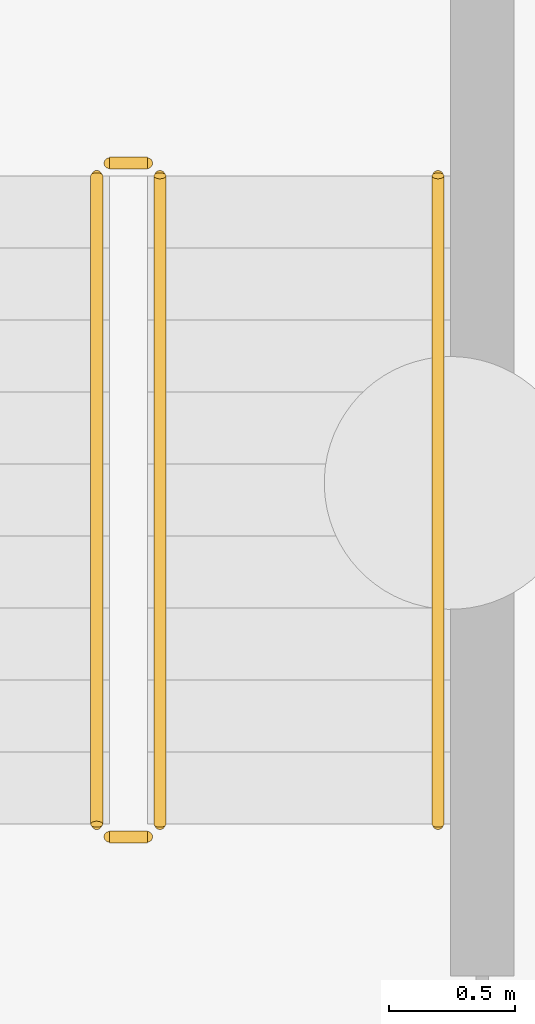
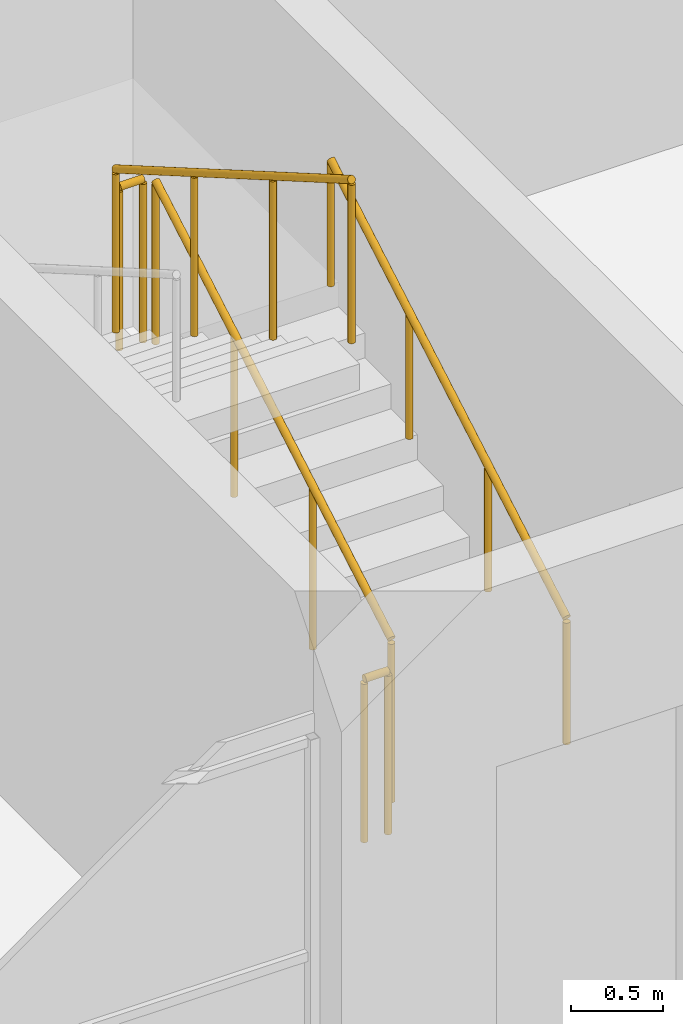
# One storey, part 116 of 130: 5 railings.
"""IFC4 building model written with IfcOpenShell, lengths in metres."""

from ifc_helpers import new_model, si_unit, direction, frame, origin, origin_2d, place, context, subcontext, project, spatial, circle, extrude, material, type_object, element, save


model = new_model("IFC4")

# Units and contexts
model_context = context("Model", 3, precision=1e-05, world=origin(), true_north=direction((0.0, 1.0)))
body_context = subcontext(model_context, "Body", "Model", "MODEL_VIEW")
ifc_project = project(units=[si_unit("LENGTHUNIT", "METRE"), si_unit("AREAUNIT", "SQUARE_METRE"), si_unit("VOLUMEUNIT", "CUBIC_METRE"), si_unit("PLANEANGLEUNIT", "RADIAN"), si_unit("MASSUNIT", "GRAM", prefix="KILO")], contexts=[model_context])

# Site, building, storey
site_placement = place(None, origin())
site = spatial("IfcSite", under=ifc_project, at=site_placement, CompositionType="ELEMENT")
building_placement = place(site_placement, origin())
building = spatial("IfcBuilding", under=site, at=building_placement, Name="Parallax Yard Mobility Hub", CompositionType="ELEMENT")
storey_placement = place(building_placement, origin())
storey = spatial("IfcBuildingStorey", under=building, at=storey_placement, Name="L00", CompositionType="ELEMENT", Elevation=0.0)

# Railings
ifc_material = material(Name="Steel ASTM A36", Category="steel")
railing_type_1 = type_object("IfcRailingType", Name="Stair guard 1100", PredefinedType="GUARDRAIL", material=ifc_material)
railing_1_placement = place(storey_placement, frame((129.199951171875, 114.89990234375, 0.1650390625)))
element("IfcRailing", 1, at=railing_1_placement, inside=storey, type_object=railing_type_1, Name="L00 ST6 stair guard 1", PredefinedType="GUARDRAIL", context=body_context, shape_type="SweptSolid", body=[
    extrude(circle(Radius=0.02392578125, at=origin_2d()), frame((0.0, 0.0, 1.076171875), z_axis=(0.0, 0.865461999751, 0.500974577186), x_axis=(-1.0, 0.0, 0.0)), (0.0, 0.0, 1.0), 2.9638671875),
    extrude(circle(Radius=0.02099609375, at=origin_2d()), origin(), (0.0, 0.0, 1.0), 1.052001953125),
    extrude(circle(Radius=0.02099609375, at=origin_2d()), frame((0.0, 0.85498046875, 0.494873046875)), (0.0, 0.0, 1.0), 1.052001953125),
    extrude(circle(Radius=0.02099609375, at=origin_2d()), frame((0.0, 1.710205078125, 0.989990234375)), (0.0, 0.0, 1.0), 1.052001953125),
    extrude(circle(Radius=0.02099609375, at=origin_2d()), frame((0.0, 2.565185546875, 1.48486328125)), (0.0, 0.0, 1.0), 1.052001953125),
])
railing_2_placement = place(storey_placement, frame((129.14990234375, 117.514892578125, 1.64990234375)))
element("IfcRailing", 2, at=railing_2_placement, inside=storey, type_object=railing_type_1, Name="L00 ST6 stair guard 2", PredefinedType="GUARDRAIL", context=body_context, shape_type="SweptSolid", body=[
    extrude(circle(Radius=0.02392578125, at=origin_2d()), frame((0.0, 0.0, 1.076171875), z_axis=(-1.0, 0.0, 0.0), x_axis=(0.0, -1.0, 0.0)), (0.0, 0.0, 1.0), 0.14990234375),
    extrude(circle(Radius=0.02099609375, at=origin_2d()), origin(), (0.0, 0.0, 1.0), 1.052001953125),
    extrude(circle(Radius=0.02099609375, at=origin_2d()), frame((-0.14990234375, 0.0, 0.0)), (0.0, 0.0, 1.0), 1.052001953125),
])
railing_3_placement = place(storey_placement, frame((128.949951171875, 117.465087890625, 1.81494140625)))
element("IfcRailing", 3, at=railing_3_placement, inside=storey, type_object=railing_type_1, Name="L00 ST6 stair guard 3", PredefinedType="GUARDRAIL", context=body_context, shape_type="SweptSolid", body=[
    extrude(circle(Radius=0.02392578125, at=origin_2d()), frame((0.0, 0.0, 1.076171875), z_axis=(0.0, -0.865426285481, 0.501036270542), x_axis=(1.0, 0.0, 0.0)), (0.0, 0.0, 1.0), 2.964111328125),
    extrude(circle(Radius=0.02099609375, at=origin_2d()), origin(), (0.0, 0.0, 1.0), 1.052001953125),
    extrude(circle(Radius=0.02099609375, at=origin_2d()), frame((0.0, -0.85498046875, 0.4951171875)), (0.0, 0.0, 1.0), 1.052001953125),
    extrude(circle(Radius=0.02099609375, at=origin_2d()), frame((0.0, -1.710205078125, 0.989990234375)), (0.0, 0.0, 1.0), 1.052001953125),
    extrude(circle(Radius=0.02099609375, at=origin_2d()), frame((0.0, -2.565185546875, 1.485107421875)), (0.0, 0.0, 1.0), 1.052001953125),
])
railing_4_placement = place(storey_placement, frame((129.14990234375, 114.85009765625, 0.0)))
element("IfcRailing", 4, at=railing_4_placement, inside=storey, type_object=railing_type_1, Name="L00 ST6 stair guard 4", PredefinedType="GUARDRAIL", context=body_context, shape_type="SweptSolid", body=[
    extrude(circle(Radius=0.02392578125, at=origin_2d()), frame((0.0, 0.0, 1.076171875), z_axis=(-1.0, 0.0, 0.0), x_axis=(0.0, -1.0, 0.0)), (0.0, 0.0, 1.0), 0.14990234375),
    extrude(circle(Radius=0.02099609375, at=origin_2d()), origin(), (0.0, 0.0, 1.0), 1.052001953125),
    extrude(circle(Radius=0.02099609375, at=origin_2d()), frame((-0.14990234375, 0.0, 0.0)), (0.0, 0.0, 1.0), 1.052001953125),
])
railing_type_2 = type_object("IfcRailingType", Name="Stair handrail", PredefinedType="HANDRAIL", material=ifc_material)
railing_5_placement = place(storey_placement, frame((130.300048828125, 114.89990234375, 0.1650390625)))
element("IfcRailing", 5, at=railing_5_placement, inside=storey, type_object=railing_type_2, Name="L00 ST6 stair handrail 1", PredefinedType="HANDRAIL", context=body_context, shape_type="SweptSolid", body=[
    extrude(circle(Radius=0.02392578125, at=origin_2d()), frame((0.0, 0.0, 0.8310546875), z_axis=(0.0, 0.865461999751, 0.500974577186), x_axis=(-1.0, 0.0, 0.0)), (0.0, 0.0, 1.0), 2.9638671875),
    extrude(circle(Radius=0.02099609375, at=origin_2d()), origin(), (0.0, 0.0, 1.0), 0.806884765625),
    extrude(circle(Radius=0.02099609375, at=origin_2d()), frame((0.0, 0.85498046875, 0.494873046875)), (0.0, 0.0, 1.0), 0.806884765625),
    extrude(circle(Radius=0.02099609375, at=origin_2d()), frame((0.0, 1.710205078125, 0.989990234375)), (0.0, 0.0, 1.0), 0.806884765625),
    extrude(circle(Radius=0.02099609375, at=origin_2d()), frame((0.0, 2.565185546875, 1.48486328125)), (0.0, 0.0, 1.0), 0.806884765625),
])

save(model, "model.ifc")
